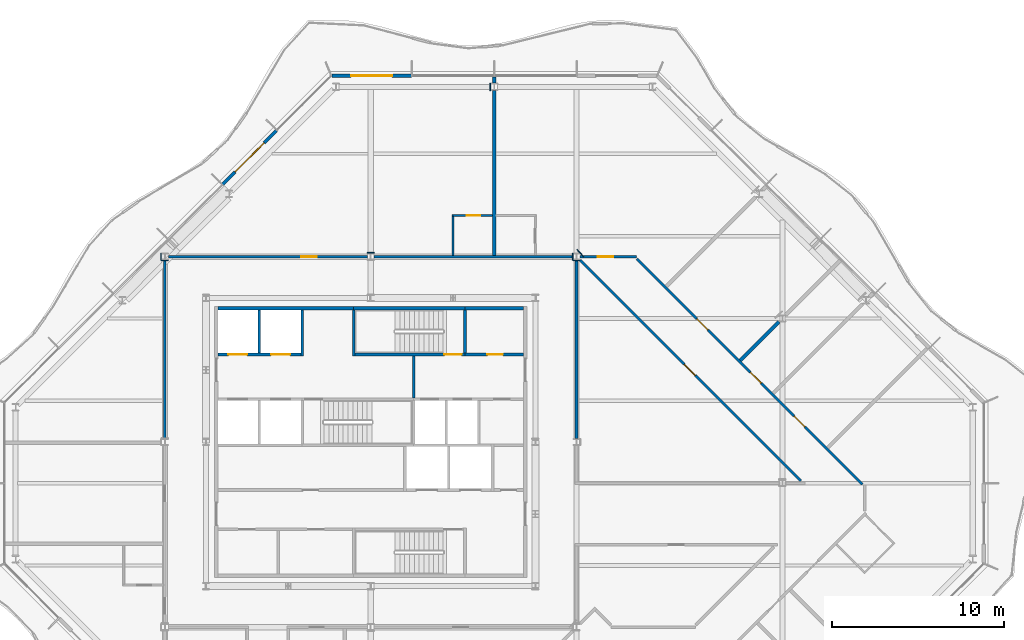
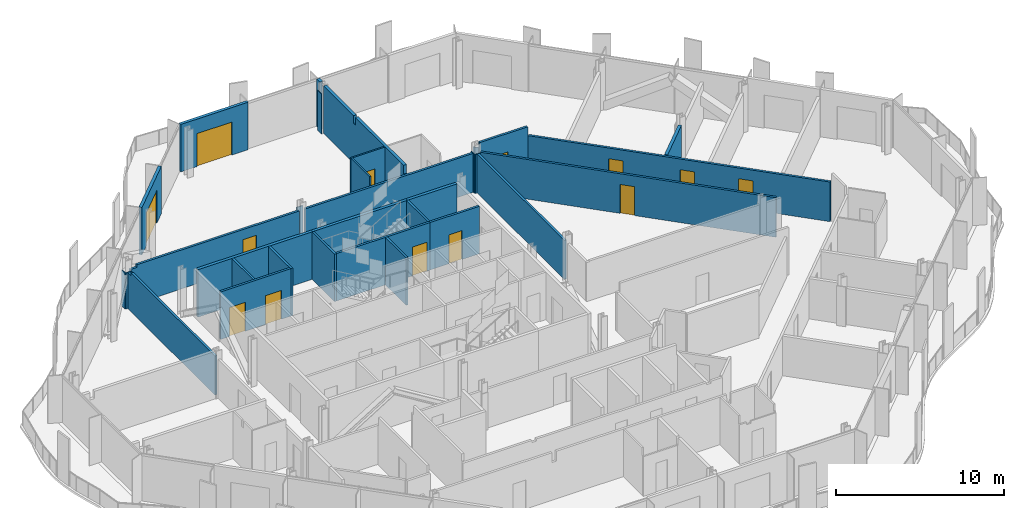
# One storey, part 11 of 17: 32 walls, 13 doors, 13 openings.
"""IFC4 building model written with IfcOpenShell, lengths in metres."""

from ifc_helpers import new_model, si_unit, direction, frame, frame_2d, origin, place, context, subcontext, project, spatial, polyline, rectangle, outline, extrude, material, layer, layer_set, type_object, element, fill, save


model = new_model("IFC4")

# Units and contexts
model_context = context("Model", 3, precision=1e-05, world=origin(), true_north=direction((0.0, 1.0)))
body_context = subcontext(model_context, "Body", "Model", "MODEL_VIEW")
ifc_project = project(units=[si_unit("LENGTHUNIT", "METRE"), si_unit("AREAUNIT", "SQUARE_METRE"), si_unit("VOLUMEUNIT", "CUBIC_METRE"), si_unit("PLANEANGLEUNIT", "RADIAN"), si_unit("MASSUNIT", "GRAM", prefix="KILO")], contexts=[model_context])

# Site, building, storey
site_placement = place(None, origin())
site = spatial("IfcSite", under=ifc_project, at=site_placement, CompositionType="ELEMENT")
building_placement = place(site_placement, origin())
building = spatial("IfcBuilding", under=site, at=building_placement, Name="Cairn Pilgrim Tower", CompositionType="ELEMENT")
storey_placement = place(building_placement, frame((0.0, 0.0, 217.800048828125)))
storey = spatial("IfcBuildingStorey", under=building, at=storey_placement, Name="L55", CompositionType="ELEMENT", Elevation=217.800048828125)

# Wall, opening, door
ifc_material_1 = material(Name="Bronze anodised aluminium insulated sandwich panel with mineral wool fill", Category="aluminium")
ifc_layer_1 = layer(ifc_material_1, 0.199951171875)
ifc_layer_set_1 = layer_set([ifc_layer_1], Name="BRONZE INFILL FRAME WALL 200")
wall_type_1 = type_object("IfcWallType", Name="BRONZE INFILL FRAME WALL 200", PredefinedType="NOTDEFINED", material=ifc_layer_set_1)
wall_1_placement = place(storey_placement, frame((9.570068359375, 23.75, 0.0), z_axis=(0.0, 0.0, 1.0), x_axis=(-1.0, 0.0, 0.0)))
wall_1 = element("IfcWall", 1, at=wall_1_placement, inside=storey, type_object=wall_type_1, Name="Bronze infill frame wall IW-N4", PredefinedType="NOTDEFINED", context=body_context, shape_type="SweptSolid", body=[
    extrude(rectangle(XDim=4.62646484375, YDim=0.199951171875, at=frame_2d((2.313232421875, 0.0))), origin(), (0.0, 0.0, 1.0), 3.449951171875),
])
opening_1_placement = place(wall_1_placement, frame((1.117919921875, 0.0, 0.0)))
opening_1 = element("IfcOpeningElement", 2, at=opening_1_placement, cuts=wall_1, Name="Opening 5509B", PredefinedType="OPENING", context=body_context, shape_type="SweptSolid", body=[
    extrude(rectangle(XDim=2.39990234375, YDim=2.39990234375, at=frame_2d((1.199951171875, 1.199951171875))), frame((0.0, 0.10986328125, 0.0), z_axis=(0.0, -1.0, 0.0), x_axis=(1.0, 0.0, 0.0)), (0.0, 0.0, 1.0), 0.219970703125),
])
ifc_material_2 = material(Name="Bronze anodised aluminium frame with tinted low-E glass", Category="aluminium")
door_type_1 = type_object("IfcDoorType", Name="BALCONY SLIDING DOOR 2400x2400", OperationType="DOUBLE_DOOR_SLIDING", PredefinedType="DOOR", material=ifc_material_2)
door_1_placement = place(opening_1_placement, origin())
door_1 = element("IfcDoor", 3, at=door_1_placement, inside=storey, type_object=door_type_1, Name="Balcony sliding door 5509B", OperationType="SINGLE_SWING_LEFT", OverallHeight=2.39990234375, OverallWidth=2.39990234375, PredefinedType="DOOR", context=body_context, shape_type="SweptSolid", body=[
    extrude(rectangle(XDim=2.39990234375, YDim=2.39990234375, at=frame_2d((1.199951171875, 1.199951171875))), frame((0.0, 0.02490234375, 0.0), z_axis=(0.0, -1.0, 0.0), x_axis=(1.0, 0.0, 0.0)), (0.0, 0.0, 1.0), 0.050048828125),
])
fill(opening_1, door_1)

wall_2_placement = place(storey_placement, frame((1.706787109375, 20.55322265625, 0.0), z_axis=(0.0, 0.0, 1.0), x_axis=(-0.707106781187, -0.707106781187, 0.0)))
wall_2 = element("IfcWall", 4, at=wall_2_placement, inside=storey, type_object=wall_type_1, Name="Bronze infill frame wall IW-NW2", PredefinedType="NOTDEFINED", context=body_context, shape_type="SweptSolid", body=[
    extrude(rectangle(XDim=4.43115234375, YDim=0.199951171875, at=frame_2d((2.215576171875, 0.0))), origin(), (0.0, 0.0, 1.0), 3.449951171875),
])
opening_2_placement = place(wall_2_placement, frame((1.015380859375, 0.0, 0.0)))
opening_2 = element("IfcOpeningElement", 5, at=opening_2_placement, cuts=wall_2, Name="Opening 5509B2", PredefinedType="OPENING", context=body_context, shape_type="SweptSolid", body=[
    extrude(rectangle(XDim=2.39990234375, YDim=2.39990234375, at=frame_2d((1.199951171875, 1.199951171875))), frame((0.0, 0.10986328125, 0.0), z_axis=(0.0, -1.0, 0.0), x_axis=(1.0, 0.0, 0.0)), (0.0, 0.0, 1.0), 0.219970703125),
])
door_2_placement = place(opening_2_placement, origin())
door_2 = element("IfcDoor", 6, at=door_2_placement, inside=storey, type_object=door_type_1, Name="Balcony sliding door 5509B2", OperationType="SINGLE_SWING_LEFT", OverallHeight=2.39990234375, OverallWidth=2.39990234375, PredefinedType="DOOR", context=body_context, shape_type="SweptSolid", body=[
    extrude(rectangle(XDim=2.39990234375, YDim=2.39990234375, at=frame_2d((1.199951171875, 1.199951171875))), frame((0.0, 0.02490234375, 0.0), z_axis=(0.0, -1.0, 0.0), x_axis=(1.0, 0.0, 0.0)), (0.0, 0.0, 1.0), 0.050048828125),
])
fill(opening_2, door_2)

# Walls
ifc_material_3 = material(Name="Concrete C32/40", Category="concrete")
ifc_layer_2 = layer(ifc_material_3, 0.199951171875)
ifc_layer_set_2 = layer_set([ifc_layer_2], Name="CORE OUTER WALL 200 EI 120")
wall_type_2 = type_object("IfcWallType", Name="CORE OUTER WALL 200 EI 120", PredefinedType="SOLIDWALL", material=ifc_layer_set_2)
wall_3_placement = place(storey_placement, frame((-1.699951171875, 10.199951171875, 0.0), z_axis=(0.0, 0.0, 1.0), x_axis=(1.0, 0.0, 0.0)))
element("IfcWall", 7, at=wall_3_placement, inside=storey, type_object=wall_type_2, Name="CW:L55:H12-1", PredefinedType="SOLIDWALL", context=body_context, shape_type="SweptSolid", body=[
    extrude(rectangle(XDim=7.89990234375, YDim=0.199951171875, at=frame_2d((3.949951171875, 0.0))), origin(), (0.0, 0.0, 1.0), 3.449951171875),
])
wall_4_placement = place(storey_placement, frame((12.699951171875, 10.199951171875, 0.0), z_axis=(0.0, 0.0, 1.0), x_axis=(1.0, 0.0, 0.0)))
element("IfcWall", 8, at=wall_4_placement, inside=storey, type_object=wall_type_2, Name="CW:L55:H12-3", PredefinedType="SOLIDWALL", context=body_context, shape_type="SweptSolid", body=[
    extrude(rectangle(XDim=3.400146484375, YDim=0.199951171875, at=frame_2d((1.7001953125, 0.0))), origin(), (0.0, 0.0, 1.0), 3.449951171875),
])

# Wall, openings, doors
ifc_layer_3 = layer(ifc_material_3, 0.14990234375)
ifc_layer_set_3 = layer_set([ifc_layer_3], Name="CORE SHAFT WALL 150 EI 120")
wall_type_3 = type_object("IfcWallType", Name="CORE SHAFT WALL 150 EI 120", PredefinedType="SOLIDWALL", material=ifc_layer_set_3)
wall_5_placement = place(storey_placement, frame((-1.699951171875, 7.5, 0.0), z_axis=(0.0, 0.0, 1.0), x_axis=(1.0, 0.0, 0.0)))
wall_5 = element("IfcWall", 9, at=wall_5_placement, inside=storey, type_object=wall_type_3, Name="CW:L55:H10", PredefinedType="SOLIDWALL", context=body_context, shape_type="SweptSolid", body=[
    extrude(rectangle(XDim=4.824951171875, YDim=0.14990234375, at=frame_2d((2.41259765625, 0.0))), origin(), (0.0, 0.0, 1.0), 3.449951171875),
])
opening_3_placement = place(wall_5_placement, frame((0.60009765625, 0.0, 0.0)))
opening_3 = element("IfcOpeningElement", 10, at=opening_3_placement, cuts=wall_5, Name="Opening LD-HR3", PredefinedType="OPENING", context=body_context, shape_type="SweptSolid", body=[
    extrude(rectangle(XDim=1.10009765625, YDim=2.10009765625, at=frame_2d((0.550048828125, 1.050048828125))), frame((0.0, 0.0849609375, 0.0), z_axis=(0.0, -1.0, 0.0), x_axis=(1.0, 0.0, 0.0)), (0.0, 0.0, 1.0), 0.169921875),
])
opening_4_placement = place(wall_5_placement, frame((3.10009765625, 0.0, 0.0)))
opening_4 = element("IfcOpeningElement", 11, at=opening_4_placement, cuts=wall_5, Name="Opening LD-HR4", PredefinedType="OPENING", context=body_context, shape_type="SweptSolid", body=[
    extrude(rectangle(XDim=1.10009765625, YDim=2.10009765625, at=frame_2d((0.550048828125, 1.050048828125))), frame((0.0, 0.0849609375, 0.0), z_axis=(0.0, -1.0, 0.0), x_axis=(1.0, 0.0, 0.0)), (0.0, 0.0, 1.0), 0.169921875),
])
ifc_material_4 = material(Name="Stainless steel", Category="steel")
door_type_2 = type_object("IfcDoorType", Name="LIFT LANDING DOOR 1100x2100", OperationType="DOUBLE_DOOR_SLIDING", PredefinedType="DOOR", material=ifc_material_4)
door_3_placement = place(opening_3_placement, origin())
door_3 = element("IfcDoor", 12, at=door_3_placement, inside=storey, type_object=door_type_2, Name="LANDING DOOR HR3", OperationType="DOUBLE_DOOR_SLIDING", OverallHeight=2.10009765625, OverallWidth=1.10009765625, PredefinedType="DOOR", context=body_context, shape_type="SweptSolid", body=[
    extrude(rectangle(XDim=1.10009765625, YDim=2.10009765625, at=frame_2d((0.550048828125, 1.050048828125))), frame((0.0, 0.02490234375, 0.0), z_axis=(0.0, -1.0, 0.0), x_axis=(1.0, 0.0, 0.0)), (0.0, 0.0, 1.0), 0.050048828125),
])
fill(opening_3, door_3)
door_4_placement = place(opening_4_placement, origin())
door_4 = element("IfcDoor", 13, at=door_4_placement, inside=storey, type_object=door_type_2, Name="LANDING DOOR HR4", OperationType="DOUBLE_DOOR_SLIDING", OverallHeight=2.10009765625, OverallWidth=1.10009765625, PredefinedType="DOOR", context=body_context, shape_type="SweptSolid", body=[
    extrude(rectangle(XDim=1.10009765625, YDim=2.10009765625, at=frame_2d((0.550048828125, 1.050048828125))), frame((0.0, 0.02490234375, 0.0), z_axis=(0.0, -1.0, 0.0), x_axis=(1.0, 0.0, 0.0)), (0.0, 0.0, 1.0), 0.050048828125),
])
fill(opening_4, door_4)

# Wall, opening, door
wall_6_placement = place(storey_placement, frame((12.699951171875, 7.5, 0.0), z_axis=(0.0, 0.0, 1.0), x_axis=(1.0, 0.0, 0.0)))
wall_6 = element("IfcWall", 14, at=wall_6_placement, inside=storey, type_object=wall_type_3, Name="CW:L55:H11-2", PredefinedType="SOLIDWALL", context=body_context, shape_type="SweptSolid", body=[
    extrude(rectangle(XDim=3.400146484375, YDim=0.14990234375, at=frame_2d((1.7001953125, 0.0))), origin(), (0.0, 0.0, 1.0), 3.449951171875),
])
opening_5_placement = place(wall_6_placement, frame((1.300048828125, 0.0, 0.0)))
opening_5 = element("IfcOpeningElement", 15, at=opening_5_placement, cuts=wall_6, Name="Opening RD-R4E", PredefinedType="OPENING", context=body_context, shape_type="SweptSolid", body=[
    extrude(rectangle(XDim=0.89990234375, YDim=2.10009765625, at=frame_2d((0.449951171875, 1.050048828125))), frame((0.0, 0.0849609375, 0.0), z_axis=(0.0, -1.0, 0.0), x_axis=(1.0, 0.0, 0.0)), (0.0, 0.0, 1.0), 0.169921875),
])
ifc_material_5 = material(Name="Painted steel", Category="steel")
door_type_3 = type_object("IfcDoorType", Name="SERVICE ROOM DOOR 900x2100", OperationType="SINGLE_SWING_LEFT", PredefinedType="DOOR", material=ifc_material_5)
door_5_placement = place(opening_5_placement, origin())
door_5 = element("IfcDoor", 16, at=door_5_placement, inside=storey, type_object=door_type_3, Name="RD-R4E", OperationType="SINGLE_SWING_LEFT", OverallHeight=2.10009765625, OverallWidth=0.89990234375, PredefinedType="DOOR", context=body_context, shape_type="SweptSolid", body=[
    extrude(rectangle(XDim=0.89990234375, YDim=2.10009765625, at=frame_2d((0.449951171875, 1.050048828125))), frame((0.0, 0.02490234375, 0.0), z_axis=(0.0, -1.0, 0.0), x_axis=(1.0, 0.0, 0.0)), (0.0, 0.0, 1.0), 0.050048828125),
])
fill(opening_5, door_5)

# Walls
wall_7_placement = place(storey_placement, frame((0.699951171875, 7.574951171875, 0.0), z_axis=(0.0, 0.0, 1.0), x_axis=(0.0, 1.0, 0.0)))
element("IfcWall", 17, at=wall_7_placement, inside=storey, type_object=wall_type_3, Name="CW:L55:V15", PredefinedType="SOLIDWALL", context=body_context, shape_type="SweptSolid", body=[
    extrude(rectangle(XDim=2.525146484375, YDim=0.14990234375, at=frame_2d((1.2626953125, 0.0))), origin(), (0.0, 0.0, 1.0), 3.449951171875),
])
wall_8_placement = place(storey_placement, frame((3.199951171875, 7.425048828125, 0.0), z_axis=(0.0, 0.0, 1.0), x_axis=(0.0, 1.0, 0.0)))
element("IfcWall", 18, at=wall_8_placement, inside=storey, type_object=wall_type_3, Name="CW:L55:V18", PredefinedType="SOLIDWALL", context=body_context, shape_type="SweptSolid", body=[
    extrude(rectangle(XDim=2.675048828125, YDim=0.14990234375, at=frame_2d((1.33740234375, 0.0))), origin(), (0.0, 0.0, 1.0), 3.449951171875),
])
wall_9_placement = place(storey_placement, frame((9.699951171875, 4.97509765625, 0.0), z_axis=(0.0, 0.0, 1.0), x_axis=(0.0, 1.0, 0.0)))
element("IfcWall", 19, at=wall_9_placement, inside=storey, type_object=wall_type_3, Name="CW:L55:V23", PredefinedType="SOLIDWALL", context=body_context, shape_type="SweptSolid", body=[
    extrude(rectangle(XDim=2.449951171875, YDim=0.14990234375, at=frame_2d((1.22509765625, 0.0))), origin(), (0.0, 0.0, 1.0), 3.449951171875),
])
ifc_material_6 = material(Name="Gypsum partition")
ifc_layer_4 = layer(ifc_material_6, 0.10009765625)
ifc_layer_set_4 = layer_set([ifc_layer_4], Name="PARTITION 100 DRYWALL")
wall_type_4 = type_object("IfcWallType", Name="PARTITION 100 DRYWALL", PredefinedType="PARTITIONING", material=ifc_layer_set_4)
wall_10_placement = place(storey_placement, frame((12.0, 13.27490234375, 0.0), z_axis=(0.0, 0.0, 1.0), x_axis=(0.0, 1.0, 0.0)))
element("IfcWall", 20, at=wall_10_placement, inside=storey, type_object=wall_type_4, Name="PARTITION W069", PredefinedType="PARTITIONING", context=body_context, shape_type="SweptSolid", body=[
    extrude(outline(polyline([(0.0, 0.0), (2.275146484375, 0.0), (2.27490234375, 3.449951171875), (0.074951171875, 3.449951171875), (0.072998046875, 2.829833984375), (0.0, 2.829833984375), (0.0, 0.0)])), frame((0.0, 0.050048828125, 0.0), z_axis=(0.0, -1.0, 0.0), x_axis=(1.0, 0.0, 0.0)), (0.0, 0.0, 1.0), 0.10009765625),
])

# Wall, opening, door
wall_11_placement = place(storey_placement, frame((11.949951171875, 15.60009765625, 0.0), z_axis=(0.0, 0.0, 1.0), x_axis=(1.0, 0.0, 0.0)))
wall_11 = element("IfcWall", 21, at=wall_11_placement, inside=storey, type_object=wall_type_4, Name="PARTITION W072", PredefinedType="PARTITIONING", context=body_context, shape_type="SweptSolid", body=[
    extrude(rectangle(XDim=2.35009765625, YDim=0.10009765625, at=frame_2d((1.175048828125, 0.0))), origin(), (0.0, 0.0, 1.0), 3.449951171875),
])
opening_6_placement = place(wall_11_placement, frame((0.85009765625, 0.0, 0.0)))
opening_6 = element("IfcOpeningElement", 22, at=opening_6_placement, cuts=wall_11, Name="Opening 5509A", PredefinedType="OPENING", context=body_context, shape_type="SweptSolid", body=[
    extrude(rectangle(XDim=0.800048828125, YDim=2.10009765625, at=frame_2d((0.39990234375, 1.050048828125))), frame((0.0, 0.06005859375, 0.0), z_axis=(0.0, -1.0, 0.0), x_axis=(1.0, 0.0, 0.0)), (0.0, 0.0, 1.0), 0.1201171875),
])
ifc_material_7 = material(Name="Timber door leaf", Category="wood")
door_type_4 = type_object("IfcDoorType", Name="WC DOOR 800x2100", OperationType="NOTDEFINED", PredefinedType="DOOR", material=ifc_material_7)
door_6_placement = place(opening_6_placement, origin())
door_6 = element("IfcDoor", 23, at=door_6_placement, inside=storey, type_object=door_type_4, Name="DOOR 5509A", OperationType="SINGLE_SWING_LEFT", OverallHeight=2.10009765625, OverallWidth=0.800048828125, PredefinedType="DOOR", context=body_context, shape_type="SweptSolid", body=[
    extrude(rectangle(XDim=0.800048828125, YDim=2.10009765625, at=frame_2d((0.39990234375, 1.050048828125))), frame((0.0, 0.02490234375, 0.0), z_axis=(0.0, -1.0, 0.0), x_axis=(1.0, 0.0, 0.0)), (0.0, 0.0, 1.0), 0.050048828125),
])
fill(opening_6, door_6)

# Wall, openings, doors
ifc_layer_5 = layer(ifc_material_6, 0.14990234375)
ifc_layer_set_5 = layer_set([ifc_layer_5], Name="PARTITION 150 DRYWALL EI 60")
wall_type_5 = type_object("IfcWallType", Name="PARTITION 150 DRYWALL EI 60", PredefinedType="PARTITIONING", material=ifc_layer_set_5)
wall_12_placement = place(storey_placement, frame((35.8720703125, -0.077880859375, 0.0), z_axis=(0.0, 0.0, 1.0), x_axis=(-0.707113345155, 0.707100217157, 0.0)))
wall_12 = element("IfcWall", 24, at=wall_12_placement, inside=storey, type_object=wall_type_5, Name="PARTITION W052", PredefinedType="PARTITIONING", context=body_context, shape_type="SweptSolid", body=[
    extrude(rectangle(XDim=18.596923828125, YDim=0.14990234375, at=frame_2d((9.29833984375, 0.0))), origin(), (0.0, 0.0, 1.0), 2.8798828125),
])
opening_7_placement = place(wall_12_placement, frame((4.743896484375, 0.0, 0.0)))
opening_7 = element("IfcOpeningElement", 25, at=opening_7_placement, cuts=wall_12, Name="Opening 5505", PredefinedType="OPENING", context=body_context, shape_type="SweptSolid", body=[
    extrude(rectangle(XDim=0.89990234375, YDim=2.10009765625, at=frame_2d((0.449951171875, 1.050048828125))), frame((0.0, 0.0849609375, 0.0), z_axis=(0.0, -1.0, 0.0), x_axis=(1.0, 0.0, 0.0)), (0.0, 0.0, 1.0), 0.169921875),
])
opening_8_placement = place(wall_12_placement, frame((8.344970703125, 0.0, 0.0)))
opening_8 = element("IfcOpeningElement", 26, at=opening_8_placement, cuts=wall_12, Name="Opening 5506", PredefinedType="OPENING", context=body_context, shape_type="SweptSolid", body=[
    extrude(rectangle(XDim=0.89990234375, YDim=2.10009765625, at=frame_2d((0.449951171875, 1.050048828125))), frame((0.0, 0.0849609375, 0.0), z_axis=(0.0, -1.0, 0.0), x_axis=(1.0, 0.0, 0.0)), (0.0, 0.0, 1.0), 0.169921875),
])
opening_9_placement = place(wall_12_placement, frame((12.74609375, 0.0, 0.0)))
opening_9 = element("IfcOpeningElement", 27, at=opening_9_placement, cuts=wall_12, Name="Opening 5507", PredefinedType="OPENING", context=body_context, shape_type="SweptSolid", body=[
    extrude(rectangle(XDim=0.89990234375, YDim=2.10009765625, at=frame_2d((0.449951171875, 1.050048828125))), frame((0.0, 0.0849609375, 0.0), z_axis=(0.0, -1.0, 0.0), x_axis=(1.0, 0.0, 0.0)), (0.0, 0.0, 1.0), 0.169921875),
])
door_type_5 = type_object("IfcDoorType", Name="SERVICE DOOR 900x2100 FD30S", OperationType="NOTDEFINED", PredefinedType="DOOR", material=ifc_material_7)
door_7_placement = place(opening_7_placement, frame((0.89990234375, 0.0, 0.0), z_axis=(0.0, 0.0, 1.0), x_axis=(-1.0, 0.0, 0.0)))
door_7 = element("IfcDoor", 28, at=door_7_placement, inside=storey, type_object=door_type_5, Name="DOOR 5505", OperationType="SINGLE_SWING_LEFT", OverallHeight=2.10009765625, OverallWidth=0.89990234375, PredefinedType="DOOR", context=body_context, shape_type="SweptSolid", body=[
    extrude(rectangle(XDim=0.89990234375, YDim=2.10009765625, at=frame_2d((0.449951171875, 1.050048828125))), frame((0.0, 0.02490234375, 0.0), z_axis=(0.0, -1.0, 0.0), x_axis=(1.0, 0.0, 0.0)), (0.0, 0.0, 1.0), 0.050048828125),
])
fill(opening_7, door_7)
door_8_placement = place(opening_8_placement, frame((0.89990234375, 0.0, 0.0), z_axis=(0.0, 0.0, 1.0), x_axis=(-1.0, 0.0, 0.0)))
door_8 = element("IfcDoor", 29, at=door_8_placement, inside=storey, type_object=door_type_5, Name="DOOR 5506", OperationType="SINGLE_SWING_LEFT", OverallHeight=2.10009765625, OverallWidth=0.89990234375, PredefinedType="DOOR", context=body_context, shape_type="SweptSolid", body=[
    extrude(rectangle(XDim=0.89990234375, YDim=2.10009765625, at=frame_2d((0.449951171875, 1.050048828125))), frame((0.0, 0.02490234375, 0.0), z_axis=(0.0, -1.0, 0.0), x_axis=(1.0, 0.0, 0.0)), (0.0, 0.0, 1.0), 0.050048828125),
])
fill(opening_8, door_8)
door_9_placement = place(opening_9_placement, frame((0.89990234375, 0.0, 0.0), z_axis=(0.0, 0.0, 1.0), x_axis=(-1.0, 0.0, 0.0)))
door_9 = element("IfcDoor", 30, at=door_9_placement, inside=storey, type_object=door_type_5, Name="DOOR 5507", OperationType="SINGLE_SWING_LEFT", OverallHeight=2.10009765625, OverallWidth=0.89990234375, PredefinedType="DOOR", context=body_context, shape_type="SweptSolid", body=[
    extrude(rectangle(XDim=0.89990234375, YDim=2.10009765625, at=frame_2d((0.449951171875, 1.050048828125))), frame((0.0, 0.02490234375, 0.0), z_axis=(0.0, -1.0, 0.0), x_axis=(1.0, 0.0, 0.0)), (0.0, 0.0, 1.0), 0.050048828125),
])
fill(opening_9, door_9)

# Wall, opening, door
wall_13_placement = place(storey_placement, frame((32.27197265625, 0.1279296875, 0.0), z_axis=(0.0, 0.0, 1.0), x_axis=(-0.707106781187, 0.707106781187, 0.0)))
wall_13 = element("IfcWall", 31, at=wall_13_placement, inside=storey, type_object=wall_type_5, Name="PARTITION W056", PredefinedType="PARTITIONING", context=body_context, shape_type="SweptSolid", body=[
    extrude(rectangle(XDim=18.20654296875, YDim=0.14990234375, at=frame_2d((9.103271484375, 0.0))), origin(), (0.0, 0.0, 1.0), 2.8798828125),
])
opening_10_placement = place(wall_13_placement, frame((8.702880859375, 0.0, 0.0)))
opening_10 = element("IfcOpeningElement", 32, at=opening_10_placement, cuts=wall_13, Name="Opening 5519", PredefinedType="OPENING", context=body_context, shape_type="SweptSolid", body=[
    extrude(rectangle(XDim=0.89990234375, YDim=2.10009765625, at=frame_2d((0.449951171875, 1.050048828125))), frame((0.0, 0.0849609375, 0.0), z_axis=(0.0, -1.0, 0.0), x_axis=(1.0, 0.0, 0.0)), (0.0, 0.0, 1.0), 0.169921875),
])
door_10_placement = place(opening_10_placement, origin())
door_10 = element("IfcDoor", 33, at=door_10_placement, inside=storey, type_object=door_type_5, Name="DOOR 5519", OperationType="SINGLE_SWING_RIGHT", OverallHeight=2.10009765625, OverallWidth=0.89990234375, PredefinedType="DOOR", context=body_context, shape_type="SweptSolid", body=[
    extrude(rectangle(XDim=0.89990234375, YDim=2.10009765625, at=frame_2d((0.449951171875, 1.050048828125))), frame((0.0, 0.02490234375, 0.0), z_axis=(0.0, -1.0, 0.0), x_axis=(1.0, 0.0, 0.0)), (0.0, 0.0, 1.0), 0.050048828125),
])
fill(opening_10, door_10)

# Walls
wall_14_placement = place(storey_placement, frame((-4.800048828125, 2.596435546875, 0.0), z_axis=(0.0, 0.0, 1.0), x_axis=(0.0, 1.0, 0.0)))
element("IfcWall", 34, at=wall_14_placement, inside=storey, type_object=wall_type_5, Name="PARTITION W059", PredefinedType="PARTITIONING", context=body_context, shape_type="SweptSolid", body=[
    extrude(outline(polyline([(0.0, 0.0), (10.406982421875, 0.0), (10.406982421875, 2.6298828125), (9.960693359375, 2.6298828125), (9.958740234375, 2.829833984375), (0.0, 2.829833984375), (0.0, 0.0)])), frame((0.0, 0.074951171875, 0.0), z_axis=(0.0, -1.0, 0.0), x_axis=(1.0, 0.0, 0.0)), (0.0, 0.0, 1.0), 0.14990234375),
])
wall_15_placement = place(storey_placement, frame((19.199951171875, 2.596435546875, 0.0), z_axis=(0.0, 0.0, 1.0), x_axis=(0.0, 1.0, 0.0)))
element("IfcWall", 35, at=wall_15_placement, inside=storey, type_object=wall_type_5, Name="PARTITION W060", PredefinedType="PARTITIONING", context=body_context, shape_type="SweptSolid", body=[
    extrude(rectangle(XDim=10.406982421875, YDim=0.14990234375, at=frame_2d((5.20361328125, 0.0))), origin(), (0.0, 0.0, 1.0), 2.829833984375),
])

# Wall, opening, door
wall_16_placement = place(storey_placement, frame((-4.6005859375, 13.199951171875, 0.0), z_axis=(0.0, 0.0, 1.0), x_axis=(1.0, 0.0, 0.0)))
wall_16 = element("IfcWall", 36, at=wall_16_placement, inside=storey, type_object=wall_type_5, Name="PARTITION W066", PredefinedType="PARTITIONING", context=body_context, shape_type="SweptSolid", body=[
    extrude(outline(polyline([(0.0, 0.0), (11.60107421875, 0.0), (11.60107421875, 2.829833984375), (0.443359375, 2.829833984375), (0.44140625, 2.6298828125), (0.0, 2.6298828125), (0.0, 0.0)])), frame((0.0, 0.074951171875, 0.0), z_axis=(0.0, -1.0, 0.0), x_axis=(1.0, 0.0, 0.0)), (0.0, 0.0, 1.0), 0.14990234375),
])
opening_11_placement = place(wall_16_placement, frame((7.75048828125, 0.0, 0.0)))
opening_11 = element("IfcOpeningElement", 37, at=opening_11_placement, cuts=wall_16, Name="Opening 5509", PredefinedType="OPENING", context=body_context, shape_type="SweptSolid", body=[
    extrude(rectangle(XDim=0.89990234375, YDim=2.10009765625, at=frame_2d((0.449951171875, 1.050048828125))), frame((0.0, 0.0849609375, 0.0), z_axis=(0.0, -1.0, 0.0), x_axis=(1.0, 0.0, 0.0)), (0.0, 0.0, 1.0), 0.169921875),
])
door_type_6 = type_object("IfcDoorType", Name="ROOM DOOR 900x2100 FD30S", OperationType="NOTDEFINED", PredefinedType="DOOR", material=ifc_material_7)
door_11_placement = place(opening_11_placement, origin())
door_11 = element("IfcDoor", 38, at=door_11_placement, inside=storey, type_object=door_type_6, Name="DOOR 5509", OperationType="SINGLE_SWING_LEFT", OverallHeight=2.10009765625, OverallWidth=0.89990234375, PredefinedType="DOOR", context=body_context, shape_type="SweptSolid", body=[
    extrude(rectangle(XDim=0.89990234375, YDim=2.10009765625, at=frame_2d((0.449951171875, 1.050048828125))), frame((0.0, 0.02490234375, 0.0), z_axis=(0.0, -1.0, 0.0), x_axis=(1.0, 0.0, 0.0)), (0.0, 0.0, 1.0), 0.050048828125),
])
fill(opening_11, door_11)

# Wall
wall_17_placement = place(storey_placement, frame((7.3994140625, 13.199951171875, 0.0), z_axis=(0.0, 0.0, 1.0), x_axis=(1.0, 0.0, 0.0)))
element("IfcWall", 39, at=wall_17_placement, inside=storey, type_object=wall_type_5, Name="PARTITION W067", PredefinedType="PARTITIONING", context=body_context, shape_type="SweptSolid", body=[
    extrude(rectangle(XDim=11.60107421875, YDim=0.14990234375, at=frame_2d((5.800537109375, 0.0))), origin(), (0.0, 0.0, 1.0), 2.829833984375),
])

# Wall, opening, door
wall_18_placement = place(storey_placement, frame((19.3994140625, 13.199951171875, 0.0), z_axis=(0.0, 0.0, 1.0), x_axis=(1.0, 0.0, 0.0)))
wall_18 = element("IfcWall", 40, at=wall_18_placement, inside=storey, type_object=wall_type_5, Name="PARTITION W068", PredefinedType="PARTITIONING", context=body_context, shape_type="SweptSolid", body=[
    extrude(rectangle(XDim=3.30078125, YDim=0.14990234375, at=frame_2d((1.650390625, 0.0))), origin(), (0.0, 0.0, 1.0), 3.449951171875),
])
opening_12_placement = place(wall_18_placement, frame((1.047607421875, 0.0, 0.0)))
opening_12 = element("IfcOpeningElement", 41, at=opening_12_placement, cuts=wall_18, Name="Opening 5508", PredefinedType="OPENING", context=body_context, shape_type="SweptSolid", body=[
    extrude(rectangle(XDim=0.89990234375, YDim=2.10009765625, at=frame_2d((0.449951171875, 1.050048828125))), frame((0.0, 0.0849609375, 0.0), z_axis=(0.0, -1.0, 0.0), x_axis=(1.0, 0.0, 0.0)), (0.0, 0.0, 1.0), 0.169921875),
])
door_12_placement = place(opening_12_placement, origin())
door_12 = element("IfcDoor", 42, at=door_12_placement, inside=storey, type_object=door_type_6, Name="DOOR 5508", OperationType="SINGLE_SWING_LEFT", OverallHeight=2.10009765625, OverallWidth=0.89990234375, PredefinedType="DOOR", context=body_context, shape_type="SweptSolid", body=[
    extrude(rectangle(XDim=0.89990234375, YDim=2.10009765625, at=frame_2d((0.449951171875, 1.050048828125))), frame((0.0, 0.02490234375, 0.0), z_axis=(0.0, -1.0, 0.0), x_axis=(1.0, 0.0, 0.0)), (0.0, 0.0, 1.0), 0.050048828125),
])
fill(opening_12, door_12)

# Walls
ifc_layer_6 = layer(ifc_material_6, 0.050048828125)
ifc_layer_set_6 = layer_set([ifc_layer_6], Name="PARTITION 50 DRYWALL EI 60")
wall_type_6 = type_object("IfcWallType", Name="PARTITION 50 DRYWALL EI 60", PredefinedType="PARTITIONING", material=ifc_layer_set_6)
wall_19_placement = place(storey_placement, frame((-5.0244140625, 13.00341796875, 0.0), z_axis=(0.0, 0.0, 1.0), x_axis=(0.0, 1.0, 0.0)))
element("IfcWall", 43, at=wall_19_placement, inside=storey, type_object=wall_type_6, Name="COLUMN CASING WC09", PredefinedType="PARTITIONING", context=body_context, shape_type="SweptSolid", body=[
    extrude(rectangle(XDim=0.39306640625, YDim=0.050048828125, at=frame_2d((0.196533203125, 0.0))), origin(), (0.0, 0.0, 1.0), 2.6298828125),
])
wall_20_placement = place(storey_placement, frame((18.9755859375, 13.00341796875, 0.0), z_axis=(0.0, 0.0, 1.0), x_axis=(0.0, 1.0, 0.0)))
element("IfcWall", 44, at=wall_20_placement, inside=storey, type_object=wall_type_6, Name="COLUMN CASING WC16", PredefinedType="PARTITIONING", context=body_context, shape_type="SweptSolid", body=[
    extrude(rectangle(XDim=0.39306640625, YDim=0.050048828125, at=frame_2d((0.196533203125, 0.0))), origin(), (0.0, 0.0, 1.0), 2.829833984375),
])
wall_21_placement = place(storey_placement, frame((19.61376953125, 13.2177734375, 0.0), z_axis=(0.0, 0.0, 1.0), x_axis=(-0.707106781187, 0.707106781187, 0.0)))
element("IfcWall", 45, at=wall_21_placement, inside=storey, type_object=wall_type_6, Name="COLUMN CASING WC17", PredefinedType="PARTITIONING", context=body_context, shape_type="SweptSolid", body=[
    extrude(rectangle(XDim=0.56005859375, YDim=0.050048828125, at=frame_2d((0.280029296875, 0.0))), origin(), (0.0, 0.0, 1.0), 2.929931640625),
])
wall_22_placement = place(storey_placement, frame((-4.99951171875, 12.978515625, 0.0), z_axis=(0.0, 0.0, 1.0), x_axis=(1.0, 0.0, 0.0)))
element("IfcWall", 46, at=wall_22_placement, inside=storey, type_object=wall_type_6, Name="COLUMN CASING WC22", PredefinedType="PARTITIONING", context=body_context, shape_type="SweptSolid", body=[
    extrude(rectangle(XDim=0.39892578125, YDim=0.050048828125, at=frame_2d((0.199462890625, 0.0))), origin(), (0.0, 0.0, 1.0), 2.6298828125),
])
wall_23_placement = place(storey_placement, frame((7.00048828125, 13.42138671875, 0.0), z_axis=(0.0, 0.0, 1.0), x_axis=(1.0, 0.0, 0.0)))
element("IfcWall", 47, at=wall_23_placement, inside=storey, type_object=wall_type_6, Name="COLUMN CASING WC23", PredefinedType="PARTITIONING", context=body_context, shape_type="SweptSolid", body=[
    extrude(rectangle(XDim=0.39892578125, YDim=0.050048828125, at=frame_2d((0.199462890625, 0.0))), origin(), (0.0, 0.0, 1.0), 2.929931640625),
])
wall_24_placement = place(storey_placement, frame((19.00048828125, 12.978515625, 0.0), z_axis=(0.0, 0.0, 1.0), x_axis=(1.0, 0.0, 0.0)))
element("IfcWall", 48, at=wall_24_placement, inside=storey, type_object=wall_type_6, Name="COLUMN CASING WC24", PredefinedType="PARTITIONING", context=body_context, shape_type="SweptSolid", body=[
    extrude(rectangle(XDim=0.39892578125, YDim=0.050048828125, at=frame_2d((0.199462890625, 0.0))), origin(), (0.0, 0.0, 1.0), 2.829833984375),
])
wall_25_placement = place(storey_placement, frame((14.1669921875, 22.876953125, 0.0), z_axis=(0.0, 0.0, 1.0), x_axis=(0.0, 1.0, 0.0)))
element("IfcWall", 49, at=wall_25_placement, inside=storey, type_object=wall_type_6, Name="COLUMN CASING WC25", PredefinedType="PARTITIONING", context=body_context, shape_type="SweptSolid", body=[
    extrude(rectangle(XDim=0.446044921875, YDim=0.050048828125, at=frame_2d((0.22314453125, 0.0))), origin(), (0.0, 0.0, 1.0), 2.929931640625),
])
ifc_layer_7 = layer(ifc_material_6, 0.199951171875)
ifc_layer_set_7 = layer_set([ifc_layer_7], Name="SHAFT WALL 200 GYPSUM EI 60")
wall_type_7 = type_object("IfcWallType", Name="SHAFT WALL 200 GYPSUM EI 60", PredefinedType="PARTITIONING", material=ifc_layer_set_7)
wall_26_placement = place(storey_placement, frame((28.75, 7.14990234375, 0.0), z_axis=(0.0, 0.0, 1.0), x_axis=(0.7070684525, 0.707145107796, 0.0)))
element("IfcWall", 50, at=wall_26_placement, inside=storey, type_object=wall_type_7, Name="PARTITION W062", PredefinedType="PARTITIONING", context=body_context, shape_type="SweptSolid", body=[
    extrude(rectangle(XDim=3.184814453125, YDim=0.199951171875, at=frame_2d((1.59228515625, 0.0))), origin(), (0.0, 0.0, 1.0), 2.929931640625),
])
wall_27_placement = place(storey_placement, frame((14.39990234375, 13.27490234375, 0.0), z_axis=(0.0, 0.0, 1.0), x_axis=(0.0, 1.0, 0.0)))
element("IfcWall", 51, at=wall_27_placement, inside=storey, type_object=wall_type_7, Name="PARTITION W070", PredefinedType="PARTITIONING", context=body_context, shape_type="SweptSolid", body=[
    extrude(outline(polyline([(0.0, 0.0), (9.60205078125, 0.0), (9.60205078125, 3.449951171875), (6.030029296875, 3.449951171875), (6.028076171875, 2.8798828125), (5.820068359375, 2.8798828125), (5.818115234375, 3.449951171875), (0.074951171875, 3.449951171875), (0.072998046875, 2.829833984375), (0.0, 2.829833984375), (0.0, 0.0)])), frame((0.0, 0.10009765625, 0.0), z_axis=(0.0, -1.0, 0.0), x_axis=(1.0, 0.0, 0.0)), (0.0, 0.0, 1.0), 0.199951171875),
])
wall_28_placement = place(storey_placement, frame((14.39990234375, 23.322998046875, 0.0), z_axis=(0.0, 0.0, 1.0), x_axis=(0.0, 1.0, 0.0)))
element("IfcWall", 52, at=wall_28_placement, inside=storey, type_object=wall_type_7, Name="PARTITION W075", PredefinedType="PARTITIONING", context=body_context, shape_type="SweptSolid", body=[
    extrude(rectangle(XDim=0.366943359375, YDim=0.199951171875, at=frame_2d((0.18359375, 0.0))), origin(), (0.0, 0.0, 1.0), 3.449951171875),
])

# Wall, opening, door
ifc_material_8 = material(Name="Concrete C35/45", Category="concrete")
ifc_layer_8 = layer(ifc_material_8, 0.14990234375)
ifc_layer_set_8 = layer_set([ifc_layer_8], Name="STAIR SHAFT WALL 150 EI 120")
wall_type_8 = type_object("IfcWallType", Name="STAIR SHAFT WALL 150 EI 120", PredefinedType="SOLIDWALL", material=ifc_layer_set_8)
wall_29_placement = place(storey_placement, frame((6.27490234375, 7.5, 0.0), z_axis=(0.0, 0.0, 1.0), x_axis=(1.0, 0.0, 0.0)))
wall_29 = element("IfcWall", 53, at=wall_29_placement, inside=storey, type_object=wall_type_8, Name="CW:L55:H11-1", PredefinedType="SOLIDWALL", context=body_context, shape_type="SweptSolid", body=[
    extrude(rectangle(XDim=6.425048828125, YDim=0.14990234375, at=frame_2d((3.21240234375, 0.0))), origin(), (0.0, 0.0, 1.0), 3.449951171875),
])
opening_13_placement = place(wall_29_placement, frame((5.22509765625, 0.0, 0.0)))
opening_13 = element("IfcOpeningElement", 54, at=opening_13_placement, cuts=wall_29, Name="Opening SD-C", PredefinedType="OPENING", context=body_context, shape_type="SweptSolid", body=[
    extrude(rectangle(XDim=1.0, YDim=2.10009765625, at=frame_2d((0.5, 1.050048828125))), frame((0.0, 0.0849609375, 0.0), z_axis=(0.0, -1.0, 0.0), x_axis=(1.0, 0.0, 0.0)), (0.0, 0.0, 1.0), 0.169921875),
])
door_type_7 = type_object("IfcDoorType", Name="STAIR DOOR FD60S 1000x2100", OperationType="SINGLE_SWING_LEFT", PredefinedType="DOOR", material=ifc_material_5)
door_13_placement = place(opening_13_placement, origin())
door_13 = element("IfcDoor", 55, at=door_13_placement, inside=storey, type_object=door_type_7, Name="SD-C", OperationType="SINGLE_SWING_RIGHT", OverallHeight=2.10009765625, OverallWidth=1.0, PredefinedType="DOOR", context=body_context, shape_type="SweptSolid", body=[
    extrude(rectangle(XDim=1.0, YDim=2.10009765625, at=frame_2d((0.5, 1.050048828125))), frame((0.0, 0.02490234375, 0.0), z_axis=(0.0, -1.0, 0.0), x_axis=(1.0, 0.0, 0.0)), (0.0, 0.0, 1.0), 0.050048828125),
])
fill(opening_13, door_13)

# Walls
wall_30_placement = place(storey_placement, frame((6.199951171875, 7.425048828125, 0.0), z_axis=(0.0, 0.0, 1.0), x_axis=(0.0, 1.0, 0.0)))
element("IfcWall", 56, at=wall_30_placement, inside=storey, type_object=wall_type_8, Name="CW:L55:V20", PredefinedType="SOLIDWALL", context=body_context, shape_type="SweptSolid", body=[
    extrude(rectangle(XDim=2.675048828125, YDim=0.14990234375, at=frame_2d((1.33740234375, 0.0))), origin(), (0.0, 0.0, 1.0), 3.449951171875),
])
wall_31_placement = place(storey_placement, frame((12.699951171875, 7.574951171875, 0.0), z_axis=(0.0, 0.0, 1.0), x_axis=(0.0, 1.0, 0.0)))
element("IfcWall", 57, at=wall_31_placement, inside=storey, type_object=wall_type_8, Name="CW:L55:V27", PredefinedType="SOLIDWALL", context=body_context, shape_type="SweptSolid", body=[
    extrude(rectangle(XDim=2.525146484375, YDim=0.14990234375, at=frame_2d((1.2626953125, 0.0))), origin(), (0.0, 0.0, 1.0), 3.449951171875),
])
ifc_layer_9 = layer(ifc_material_8, 0.199951171875)
ifc_layer_set_9 = layer_set([ifc_layer_9], Name="STAIR SHAFT WALL 200 EI 120")
wall_type_9 = type_object("IfcWallType", Name="STAIR SHAFT WALL 200 EI 120", PredefinedType="SOLIDWALL", material=ifc_layer_set_9)
wall_32_placement = place(storey_placement, frame((6.199951171875, 10.199951171875, 0.0), z_axis=(0.0, 0.0, 1.0), x_axis=(1.0, 0.0, 0.0)))
element("IfcWall", 58, at=wall_32_placement, inside=storey, type_object=wall_type_9, Name="CW:L55:H12-2", PredefinedType="SOLIDWALL", context=body_context, shape_type="SweptSolid", body=[
    extrude(rectangle(XDim=6.5, YDim=0.199951171875, at=frame_2d((3.25, 0.0))), origin(), (0.0, 0.0, 1.0), 3.449951171875),
])

save(model, "model.ifc")
